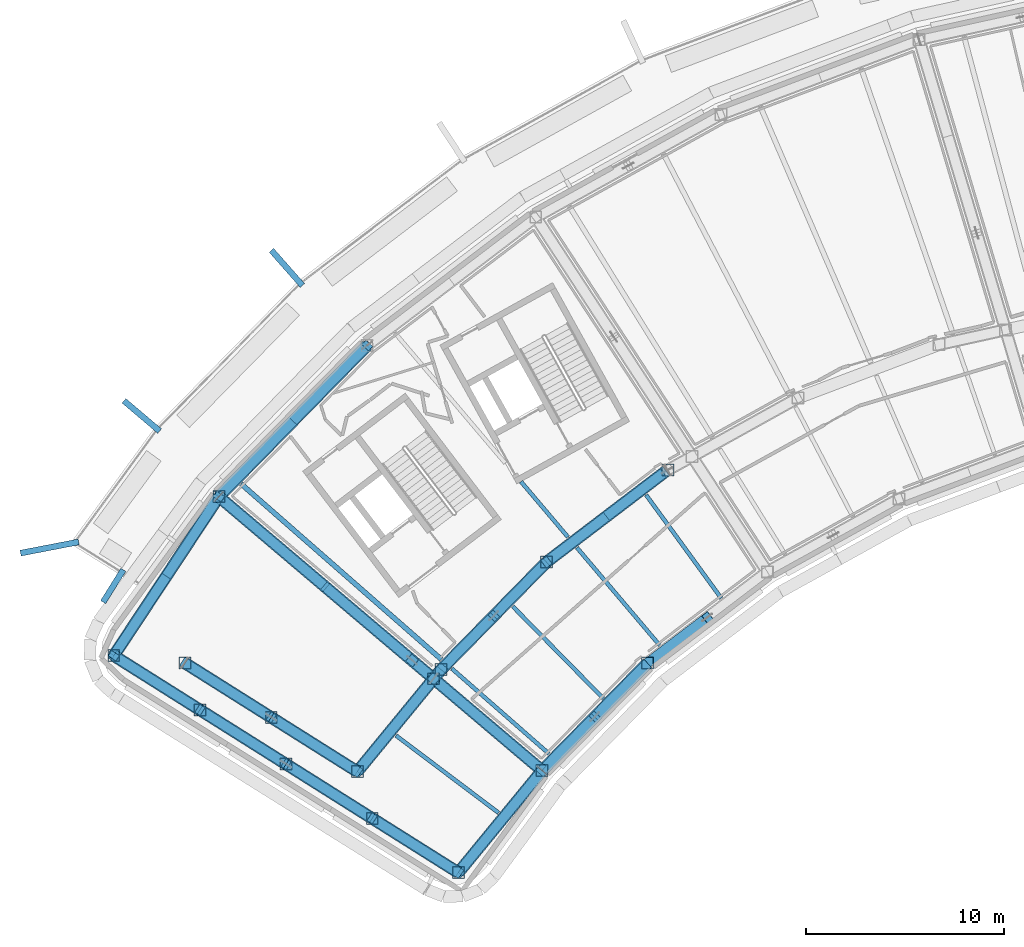
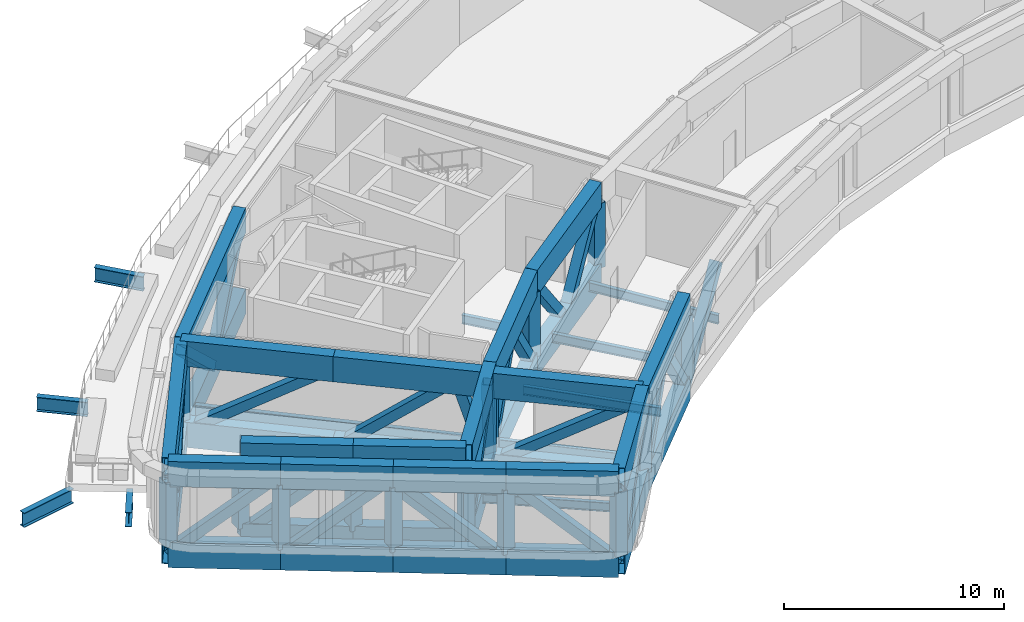
# One storey, part 1 of 24: 43 beams, 39 members.
"""IFC4 building model written with IfcOpenShell, lengths in metres."""

from ifc_helpers import new_model, si_unit, direction, frame, origin, origin_2d, place, context, subcontext, project, spatial, hollow_rectangle, i_section, extrude, material, material_profile, profile_set, type_object, element, save


model = new_model("IFC4")

# Units and contexts
model_context = context("Model", 3, precision=1e-05, world=origin(), true_north=direction((0.0, 1.0)))
body_context = subcontext(model_context, "Body", "Model", "MODEL_VIEW")
ifc_project = project(units=[si_unit("LENGTHUNIT", "METRE"), si_unit("AREAUNIT", "SQUARE_METRE"), si_unit("VOLUMEUNIT", "CUBIC_METRE"), si_unit("PLANEANGLEUNIT", "RADIAN"), si_unit("MASSUNIT", "GRAM", prefix="KILO")], contexts=[model_context])

# Site, building, storey
site_placement = place(None, origin())
site = spatial("IfcSite", under=ifc_project, at=site_placement, CompositionType="ELEMENT")
building_placement = place(site_placement, origin())
building = spatial("IfcBuilding", under=site, at=building_placement, Name="Tuul Gate Civic Tower", CompositionType="ELEMENT")
storey_placement = place(building_placement, frame((0.0, 0.0, 243.89990234375)))
storey = spatial("IfcBuildingStorey", under=building, at=storey_placement, Name="Plant and refuge floor 6", CompositionType="ELEMENT", Elevation=243.89990234375)

# Beams
ifc_material_1 = material(Name="Steel S355", Category="steel")
ifc_material_profile_1 = material_profile(ifc_material_1, i_section(OverallWidth=0.199951171875, OverallDepth=0.5, WebThickness=0.010009765625, FlangeThickness=0.01611328125, at=origin_2d()), Name="PG500x200x10x16")
ifc_profile_set_1 = profile_set([ifc_material_profile_1], Name="Steel S355")
beam_type_1 = type_object("IfcBeamType", Name="STR-FLOOR BEAM-PG500x200x10x16", PredefinedType="BEAM", material=ifc_profile_set_1)
beam_1_placement = place(storey_placement, frame((-20.018310546875, -17.758544921875, -0.64990234375), z_axis=(-0.588406238237, 0.80856545734, 0.0), x_axis=(-0.80856545734, -0.588406238237, 0.0)))
element("IfcBeam", 1, at=beam_1_placement, inside=storey, type_object=beam_type_1, Name="Floor beam", PredefinedType="BEAM", context=body_context, shape_type="SweptSolid", body=[
    extrude(i_section(OverallWidth=0.199951171875, OverallDepth=0.5, WebThickness=0.010009765625, FlangeThickness=0.01611328125, at=origin_2d()), origin(), (0.0, 0.0, 1.0), 6.436279296875),
])
beam_2_placement = place(storey_placement, frame((-23.126953125, -20.12548828125, -0.64990234375), z_axis=(-0.646590839722, 0.762836998308, 0.0), x_axis=(-0.762836998308, -0.646590839722, 0.0)))
element("IfcBeam", 2, at=beam_2_placement, inside=storey, type_object=beam_type_1, Name="Floor beam", PredefinedType="BEAM", context=body_context, shape_type="SweptSolid", body=[
    extrude(i_section(OverallWidth=0.199951171875, OverallDepth=0.5, WebThickness=0.010009765625, FlangeThickness=0.01611328125, at=origin_2d()), origin(), (0.0, 0.0, 1.0), 6.443359375),
])
beam_3_placement = place(storey_placement, frame((-27.74658203125, -14.67529296875, -0.64990234375), z_axis=(-0.646614419662, 0.762817011009, 0.0), x_axis=(-0.762817011009, -0.646614419662, 0.0)))
element("IfcBeam", 3, at=beam_3_placement, inside=storey, type_object=beam_type_1, Name="Floor beam", PredefinedType="BEAM", context=body_context, shape_type="SweptSolid", body=[
    extrude(i_section(OverallWidth=0.199951171875, OverallDepth=0.5, WebThickness=0.010009765625, FlangeThickness=0.01611328125, at=origin_2d()), origin(), (0.0, 0.0, 1.0), 3.662109375),
])
beam_4_placement = place(storey_placement, frame((-25.96875, -22.806884765625, -0.64990234375), z_axis=(-0.701223642342, 0.712941374462, 0.0), x_axis=(-0.712941374462, -0.701223642342, 0.0)))
element("IfcBeam", 4, at=beam_4_placement, inside=storey, type_object=beam_type_1, Name="Floor beam", PredefinedType="BEAM", context=body_context, shape_type="SweptSolid", body=[
    extrude(i_section(OverallWidth=0.199951171875, OverallDepth=0.5, WebThickness=0.010009765625, FlangeThickness=0.01611328125, at=origin_2d()), origin(), (0.0, 0.0, 1.0), 6.50048828125),
])
beam_5_placement = place(storey_placement, frame((-28.704345703125, -25.597412109375, -0.64990234375), z_axis=(-0.752011852381, 0.659149583841, 0.0), x_axis=(-0.659149583841, -0.752011852381, 0.0)))
element("IfcBeam", 5, at=beam_5_placement, inside=storey, type_object=beam_type_1, Name="Floor beam", PredefinedType="BEAM", context=body_context, shape_type="SweptSolid", body=[
    extrude(i_section(OverallWidth=0.199951171875, OverallDepth=0.5, WebThickness=0.010009765625, FlangeThickness=0.01611328125, at=origin_2d()), origin(), (0.0, 0.0, 1.0), 6.509521484375),
])
beam_6_placement = place(storey_placement, frame((-31.24609375, -28.57421875, -0.64990234375), z_axis=(-0.798707781661, 0.601719103497, 0.0), x_axis=(-0.601719103497, -0.798707781661, 0.0)))
element("IfcBeam", 6, at=beam_6_placement, inside=storey, type_object=beam_type_1, Name="Floor beam", PredefinedType="BEAM", context=body_context, shape_type="SweptSolid", body=[
    extrude(i_section(OverallWidth=0.199951171875, OverallDepth=0.5, WebThickness=0.010009765625, FlangeThickness=0.01611328125, at=origin_2d()), origin(), (0.0, 0.0, 1.0), 6.470703125),
])
ifc_material_2 = material(Name="Steel S355", Category="steel")
ifc_material_profile_2 = material_profile(ifc_material_2, i_section(OverallWidth=0.25, OverallDepth=0.64990234375, WebThickness=0.011962890625, FlangeThickness=0.02001953125, at=origin_2d()), Name="PG650x250x12x20")
ifc_profile_set_2 = profile_set([ifc_material_profile_2], Name="Steel S355")
beam_type_2 = type_object("IfcBeamType", Name="STR-FLOOR BEAM-PG650x250x12x20", PredefinedType="BEAM", material=ifc_profile_set_2)
beam_7_placement = place(storey_placement, frame((-34.126953125, -20.844482421875, -0.724853515625), z_axis=(-0.752029903668, 0.659128988885, 0.0), x_axis=(-0.659128988885, -0.752029903668, 0.0)))
element("IfcBeam", 7, at=beam_7_placement, inside=storey, type_object=beam_type_2, Name="Floor beam", PredefinedType="BEAM", context=body_context, shape_type="SweptSolid", body=[
    extrude(i_section(OverallWidth=0.25, OverallDepth=0.64990234375, WebThickness=0.011962890625, FlangeThickness=0.02001953125, at=origin_2d()), origin(), (0.0, 0.0, 1.0), 13.421142578125),
])
ifc_material_3 = material(Name="Steel S355", Category="steel")
ifc_material_profile_3 = material_profile(ifc_material_3, i_section(OverallWidth=0.300048828125, OverallDepth=0.800048828125, WebThickness=0.013916015625, FlangeThickness=0.02490234375, at=origin_2d()), Name="PG800x300x14x25")
ifc_profile_set_3 = profile_set([ifc_material_profile_3], Name="Steel S355")
beam_type_3 = type_object("IfcBeamType", Name="STR-FLOOR BEAM-PG800x300x14x25", PredefinedType="BEAM", material=ifc_profile_set_3)
beam_8_placement = place(storey_placement, frame((-42.693359375, -0.224853515625, -0.7998046875), z_axis=(0.661768932798, -0.749707862826, 0.0), x_axis=(0.749707862826, 0.661768932798, 0.0)))
element("IfcBeam", 8, at=beam_8_placement, inside=storey, type_object=beam_type_3, Name="Terrace beam", PredefinedType="BEAM", context=body_context, shape_type="SweptSolid", body=[
    extrude(i_section(OverallWidth=0.300048828125, OverallDepth=0.800048828125, WebThickness=0.013916015625, FlangeThickness=0.02490234375, at=origin_2d()), origin(), (0.0, 0.0, 1.0), 2.35693359375),
])
beam_9_placement = place(storey_placement, frame((-50.126953125, -7.80859375, -0.7998046875), z_axis=(0.762725864473, -0.646721930713, 0.0), x_axis=(0.646721930713, 0.762725864473, 0.0)))
element("IfcBeam", 9, at=beam_9_placement, inside=storey, type_object=beam_type_3, Name="Terrace beam", PredefinedType="BEAM", context=body_context, shape_type="SweptSolid", body=[
    extrude(i_section(OverallWidth=0.300048828125, OverallDepth=0.800048828125, WebThickness=0.013916015625, FlangeThickness=0.02490234375, at=origin_2d()), origin(), (0.0, 0.0, 1.0), 2.357177734375),
])
beam_10_placement = place(storey_placement, frame((-55.33837890625, -15.487060546875, -0.7998046875), z_axis=(0.981829085502, 0.189767349303, 0.0), x_axis=(-0.189767349303, 0.981829085502, 0.0)))
element("IfcBeam", 10, at=beam_10_placement, inside=storey, type_object=beam_type_3, Name="Terrace beam", PredefinedType="BEAM", context=body_context, shape_type="SweptSolid", body=[
    extrude(i_section(OverallWidth=0.300048828125, OverallDepth=0.800048828125, WebThickness=0.013916015625, FlangeThickness=0.02490234375, at=origin_2d()), origin(), (0.0, 0.0, 1.0), 2.982177734375),
])
beam_11_placement = place(storey_placement, frame((-51.177001953125, -17.957763671875, -0.7998046875), z_axis=(0.529976097183, 0.84801258034, 0.0), x_axis=(-0.84801258034, 0.529976097183, 0.0)))
element("IfcBeam", 11, at=beam_11_placement, inside=storey, type_object=beam_type_3, Name="Terrace beam", PredefinedType="BEAM", context=body_context, shape_type="SweptSolid", body=[
    extrude(i_section(OverallWidth=0.300048828125, OverallDepth=0.800048828125, WebThickness=0.013916015625, FlangeThickness=0.02490234375, at=origin_2d()), origin(), (0.0, 0.0, 1.0), 1.92138671875),
])
ifc_material_4 = material(Name="Steel S460", Category="steel")
ifc_material_profile_4 = material_profile(ifc_material_4, hollow_rectangle(XDim=0.60009765625, YDim=1.39990234375, WallThickness=0.031982421875, at=origin_2d()), Name="BOX1400x600x32")
ifc_profile_set_4 = profile_set([ifc_material_profile_4], Name="Steel S460")
beam_type_4 = type_object("IfcBeamType", Name="STR-TRANSFER TRUSS CHORD-BOX1400x600x32", PredefinedType="BEAM", material=ifc_profile_set_4)
beam_12_placement = place(storey_placement, frame((-45.341064453125, -12.64208984375, -1.099853515625), z_axis=(0.76286654486, -0.646555979583, 0.0), x_axis=(0.646555979583, 0.76286654486, 0.0)))
element("IfcBeam", 12, at=beam_12_placement, inside=storey, type_object=beam_type_4, Name="Radial truss bottom chord", PredefinedType="BEAM", context=body_context, shape_type="SweptSolid", body=[
    extrude(hollow_rectangle(XDim=0.60009765625, YDim=1.39990234375, WallThickness=0.031982421875, at=origin_2d()), origin(), (0.0, 0.0, 1.0), 7.0947265625),
])
beam_13_placement = place(storey_placement, frame((-39.9287109375, -17.229248046875, -1.099853515625), z_axis=(0.762849040409, -0.646576632385, 0.0), x_axis=(0.646576632385, 0.762849040409, 0.0)))
element("IfcBeam", 13, at=beam_13_placement, inside=storey, type_object=beam_type_4, Name="Radial truss bottom chord", PredefinedType="BEAM", context=body_context, shape_type="SweptSolid", body=[
    extrude(hollow_rectangle(XDim=0.60009765625, YDim=1.39990234375, WallThickness=0.031982421875, at=origin_2d()), origin(), (0.0, 0.0, 1.0), 6.794677734375),
])
beam_14_placement = place(storey_placement, frame((-34.28759765625, -22.010498046875, -1.099853515625), z_axis=(0.762834361318, -0.646593950786, 0.0), x_axis=(0.646593950786, 0.762834361318, 0.0)))
element("IfcBeam", 14, at=beam_14_placement, inside=storey, type_object=beam_type_4, Name="Radial truss bottom chord", PredefinedType="BEAM", context=body_context, shape_type="SweptSolid", body=[
    extrude(hollow_rectangle(XDim=0.60009765625, YDim=1.39990234375, WallThickness=0.031982421875, at=origin_2d()), origin(), (0.0, 0.0, 1.0), 6.865966796875),
])
beam_15_placement = place(storey_placement, frame((-45.341064453125, -12.64208984375, 3.400146484375), z_axis=(0.76286654486, -0.646555979583, 0.0), x_axis=(0.646555979583, 0.76286654486, 0.0)))
element("IfcBeam", 15, at=beam_15_placement, inside=storey, type_object=beam_type_4, Name="Radial truss top chord", PredefinedType="BEAM", context=body_context, shape_type="SweptSolid", body=[
    extrude(hollow_rectangle(XDim=0.60009765625, YDim=1.39990234375, WallThickness=0.031982421875, at=origin_2d()), origin(), (0.0, 0.0, 1.0), 7.0947265625),
])
beam_16_placement = place(storey_placement, frame((-39.9287109375, -17.229248046875, 3.400146484375), z_axis=(0.762849040409, -0.646576632385, 0.0), x_axis=(0.646576632385, 0.762849040409, 0.0)))
element("IfcBeam", 16, at=beam_16_placement, inside=storey, type_object=beam_type_4, Name="Radial truss top chord", PredefinedType="BEAM", context=body_context, shape_type="SweptSolid", body=[
    extrude(hollow_rectangle(XDim=0.60009765625, YDim=1.39990234375, WallThickness=0.031982421875, at=origin_2d()), origin(), (0.0, 0.0, 1.0), 6.794677734375),
])
beam_17_placement = place(storey_placement, frame((-34.28759765625, -22.010498046875, 3.400146484375), z_axis=(0.762834361318, -0.646593950786, 0.0), x_axis=(0.646593950786, 0.762834361318, 0.0)))
element("IfcBeam", 17, at=beam_17_placement, inside=storey, type_object=beam_type_4, Name="Radial truss top chord", PredefinedType="BEAM", context=body_context, shape_type="SweptSolid", body=[
    extrude(hollow_rectangle(XDim=0.60009765625, YDim=1.39990234375, WallThickness=0.031982421875, at=origin_2d()), origin(), (0.0, 0.0, 1.0), 6.865966796875),
])
for number, where, z_axis, x_axis, name in (
    (18, (-37.866943359375, -5.01708984375, -1.099853515625), (-0.700006025331, -0.714136936798, 0.0), (0.714136936798, -0.700006025331, 0.0), "Belt truss bottom chord"),
    (19, (-37.866943359375, -5.01708984375, 3.400146484375), (-0.700006025331, -0.714136936798, 0.0), (0.714136936798, -0.700006025331, 0.0), "Belt truss top chord"),
):
    element("IfcBeam", number, at=place(storey_placement, frame(where, z_axis=z_axis, x_axis=x_axis)), inside=storey, type_object=beam_type_4, Name=name, PredefinedType="BEAM", context=body_context, shape_type="SweptSolid", body=[
        extrude(hollow_rectangle(XDim=0.60009765625, YDim=1.39990234375, WallThickness=0.031982421875, at=origin_2d()), origin(), (0.0, 0.0, 1.0), 10.67724609375),
    ])
for number, where, z_axis, x_axis, name in (
    (20, (-45.341064453125, -12.64208984375, -1.099853515625), (-0.551634757696, -0.834085783419, 0.0), (0.834085783419, -0.551634757696, 0.0), "Belt truss bottom chord"),
    (21, (-45.341064453125, -12.64208984375, 3.400146484375), (-0.551634757696, -0.834085783419, 0.0), (0.834085783419, -0.551634757696, 0.0), "Belt truss top chord"),
):
    element("IfcBeam", number, at=place(storey_placement, frame(where, z_axis=z_axis, x_axis=x_axis)), inside=storey, type_object=beam_type_4, Name=name, PredefinedType="BEAM", context=body_context, shape_type="SweptSolid", body=[
        extrude(hollow_rectangle(XDim=0.60009765625, YDim=1.39990234375, WallThickness=0.031982421875, at=origin_2d()), origin(), (0.0, 0.0, 1.0), 9.605712890625),
    ])
for number, where, z_axis, x_axis, name in (
    (22, (-28.826904296875, -15.93798828125, -1.099853515625), (0.795614033474, 0.60580385418, 0.0), (-0.60580385418, 0.795614033474, 0.0), "Belt truss bottom chord"),
    (23, (-28.826904296875, -15.93798828125, 3.400146484375), (0.795614033474, 0.60580385418, 0.0), (-0.60580385418, 0.795614033474, 0.0), "Belt truss top chord"),
):
    element("IfcBeam", number, at=place(storey_placement, frame(where, z_axis=z_axis, x_axis=x_axis)), inside=storey, type_object=beam_type_4, Name=name, PredefinedType="BEAM", context=body_context, shape_type="SweptSolid", body=[
        extrude(hollow_rectangle(XDim=0.60009765625, YDim=1.39990234375, WallThickness=0.031982421875, at=origin_2d()), origin(), (0.0, 0.0, 1.0), 7.59130859375),
    ])
for number, where, z_axis, x_axis, name in (
    (24, (-29.050048828125, -26.449951171875, -1.099853515625), (0.700028321622, 0.714115081011, 0.0), (-0.714115081011, 0.700028321622, 0.0), "Belt truss bottom chord"),
    (25, (-29.050048828125, -26.449951171875, 3.400146484375), (0.700028321622, 0.714115081011, 0.0), (-0.714115081011, 0.700028321622, 0.0), "Belt truss top chord"),
):
    element("IfcBeam", number, at=place(storey_placement, frame(where, z_axis=z_axis, x_axis=x_axis)), inside=storey, type_object=beam_type_4, Name=name, PredefinedType="BEAM", context=body_context, shape_type="SweptSolid", body=[
        extrude(hollow_rectangle(XDim=0.60009765625, YDim=1.39990234375, WallThickness=0.031982421875, at=origin_2d()), origin(), (0.0, 0.0, 1.0), 7.591064453125),
    ])
for number, where, z_axis, x_axis, name in (
    (26, (-34.14111328125, -21.35888671875, -1.099853515625), (0.700044722184, 0.7140990036, 0.0), (-0.7140990036, 0.700044722184, 0.0), "Belt truss bottom chord"),
    (27, (-34.14111328125, -21.35888671875, 3.400146484375), (0.700044722184, 0.7140990036, 0.0), (-0.7140990036, 0.700044722184, 0.0), "Belt truss top chord"),
):
    element("IfcBeam", number, at=place(storey_placement, frame(where, z_axis=z_axis, x_axis=x_axis)), inside=storey, type_object=beam_type_4, Name=name, PredefinedType="BEAM", context=body_context, shape_type="SweptSolid", body=[
        extrude(hollow_rectangle(XDim=0.60009765625, YDim=1.39990234375, WallThickness=0.031982421875, at=origin_2d()), origin(), (0.0, 0.0, 1.0), 7.59130859375),
    ])
for number, where, z_axis, x_axis, name in (
    (28, (-33.27001953125, -31.592041015625, -1.099853515625), (0.634390286361, 0.773012913586, 0.0), (-0.773012913586, 0.634390286361, 0.0), "Belt truss bottom chord"),
    (29, (-33.27001953125, -31.592041015625, 3.400146484375), (0.634390286361, 0.773012913586, 0.0), (-0.773012913586, 0.634390286361, 0.0), "Belt truss top chord"),
    (30, (-38.361083984375, -26.5009765625, -1.099853515625), (0.634390286361, 0.773012913586, 0.0), (-0.773012913586, 0.634390286361, 0.0), "Belt truss bottom chord"),
    (31, (-38.361083984375, -26.5009765625, 3.400146484375), (0.634390286361, 0.773012913586, 0.0), (-0.773012913586, 0.634390286361, 0.0), "Belt truss top chord"),
):
    element("IfcBeam", number, at=place(storey_placement, frame(where, z_axis=z_axis, x_axis=x_axis)), inside=storey, type_object=beam_type_4, Name=name, PredefinedType="BEAM", context=body_context, shape_type="SweptSolid", body=[
        extrude(hollow_rectangle(XDim=0.60009765625, YDim=1.39990234375, WallThickness=0.031982421875, at=origin_2d()), origin(), (0.0, 0.0, 1.0), 6.652099609375),
    ])
for number, where, z_axis, x_axis, name in (
    (32, (-46.298095703125, -23.388916015625, -1.099853515625), (0.846264615796, -0.53276279905, 0.0), (0.53276279905, 0.846264615796, 0.0), "Belt truss bottom chord"),
    (33, (-46.298095703125, -23.388916015625, 3.400146484375), (0.846264615796, -0.53276279905, 0.0), (0.53276279905, 0.846264615796, 0.0), "Belt truss top chord"),
):
    element("IfcBeam", number, at=place(storey_placement, frame(where, z_axis=z_axis, x_axis=x_axis)), inside=storey, type_object=beam_type_4, Name=name, PredefinedType="BEAM", context=body_context, shape_type="SweptSolid", body=[
        extrude(hollow_rectangle(XDim=0.60009765625, YDim=1.39990234375, WallThickness=0.031982421875, at=origin_2d()), origin(), (0.0, 0.0, 1.0), 5.132080078125),
    ])
for number, where, z_axis, x_axis, name in (
    (34, (-42.7041015625, -23.76708984375, -1.099853515625), (0.846286064045, -0.532728728156, 0.0), (0.532728728156, 0.846286064045, 0.0), "Belt truss bottom chord"),
    (35, (-42.7041015625, -23.76708984375, 3.400146484375), (0.846286064045, -0.532728728156, 0.0), (0.532728728156, 0.846286064045, 0.0), "Belt truss top chord"),
):
    element("IfcBeam", number, at=place(storey_placement, frame(where, z_axis=z_axis, x_axis=x_axis)), inside=storey, type_object=beam_type_4, Name=name, PredefinedType="BEAM", context=body_context, shape_type="SweptSolid", body=[
        extrude(hollow_rectangle(XDim=0.60009765625, YDim=1.39990234375, WallThickness=0.031982421875, at=origin_2d()), origin(), (0.0, 0.0, 1.0), 5.1318359375),
    ])
for number, where, z_axis, x_axis, name in (
    (36, (-37.613037109375, -28.85791015625, -1.099853515625), (0.846264615796, -0.53276279905, 0.0), (0.53276279905, 0.846264615796, 0.0), "Belt truss bottom chord"),
    (37, (-37.613037109375, -28.85791015625, 3.400146484375), (0.846264615796, -0.53276279905, 0.0), (0.53276279905, 0.846264615796, 0.0), "Belt truss top chord"),
):
    element("IfcBeam", number, at=place(storey_placement, frame(where, z_axis=z_axis, x_axis=x_axis)), inside=storey, type_object=beam_type_4, Name=name, PredefinedType="BEAM", context=body_context, shape_type="SweptSolid", body=[
        extrude(hollow_rectangle(XDim=0.60009765625, YDim=1.39990234375, WallThickness=0.031982421875, at=origin_2d()), origin(), (0.0, 0.0, 1.0), 5.132080078125),
    ])
for number, where, z_axis, x_axis, name in (
    (38, (-50.639892578125, -20.654052734375, -1.099853515625), (0.8461327144, -0.532972259712, 0.0), (0.532972259712, 0.8461327144, 0.0), "Belt truss bottom chord"),
    (39, (-50.639892578125, -20.654052734375, 3.400146484375), (0.8461327144, -0.532972259712, 0.0), (0.532972259712, 0.8461327144, 0.0), "Belt truss top chord"),
):
    element("IfcBeam", number, at=place(storey_placement, frame(where, z_axis=z_axis, x_axis=x_axis)), inside=storey, type_object=beam_type_4, Name=name, PredefinedType="BEAM", context=body_context, shape_type="SweptSolid", body=[
        extrude(hollow_rectangle(XDim=0.60009765625, YDim=1.39990234375, WallThickness=0.031982421875, at=origin_2d()), origin(), (0.0, 0.0, 1.0), 5.13134765625),
    ])
for number, where, z_axis, x_axis, name in (
    (40, (-41.955078125, -26.123046875, -1.099853515625), (0.846146228652, -0.532950804237, 0.0), (0.532950804237, 0.846146228652, 0.0), "Belt truss bottom chord"),
    (41, (-41.955078125, -26.123046875, 3.400146484375), (0.846146228652, -0.532950804237, 0.0), (0.532950804237, 0.846146228652, 0.0), "Belt truss top chord"),
    (42, (-47.0458984375, -21.031982421875, -1.099853515625), (0.846111258092, -0.53300632166, 0.0), (0.53300632166, 0.846111258092, 0.0), "Belt truss bottom chord"),
    (43, (-47.0458984375, -21.031982421875, 3.400146484375), (0.846111258092, -0.53300632166, 0.0), (0.53300632166, 0.846111258092, 0.0), "Belt truss top chord"),
):
    element("IfcBeam", number, at=place(storey_placement, frame(where, z_axis=z_axis, x_axis=x_axis)), inside=storey, type_object=beam_type_4, Name=name, PredefinedType="BEAM", context=body_context, shape_type="SweptSolid", body=[
        extrude(hollow_rectangle(XDim=0.60009765625, YDim=1.39990234375, WallThickness=0.031982421875, at=origin_2d()), origin(), (0.0, 0.0, 1.0), 5.131591796875),
    ])

# Members
ifc_material_5 = material(Name="Steel S355", Category="steel")
ifc_material_profile_5 = material_profile(ifc_material_5, hollow_rectangle(XDim=0.5, YDim=0.5, WallThickness=0.02001953125, at=origin_2d()), Name="BOX500x500x20")
ifc_profile_set_5 = profile_set([ifc_material_profile_5], Name="Steel S355")
member_type_1 = type_object("IfcMemberType", Name="STR-TRANSFER TRUSS DIAGONAL-BOX500x500x20", PredefinedType="BRACE", material=ifc_profile_set_5)
member_1_placement = place(storey_placement, frame((-45.34423828125, -12.63916015625, -1.1025390625), z_axis=(0.644197311648, -0.546007651576, 0.53561690422), x_axis=(0.646575263532, 0.762850200622, 0.0)))
element("IfcMember", 44, at=member_1_placement, inside=storey, type_object=member_type_1, Name="Radial truss web", PredefinedType="BRACE", context=body_context, shape_type="SweptSolid", body=[
    extrude(hollow_rectangle(XDim=0.5, YDim=0.5, WallThickness=0.02001953125, at=origin_2d()), origin(), (0.0, 0.0, 1.0), 8.41162109375),
])
member_2_placement = place(storey_placement, frame((-34.519775390625, -21.81396484375, -1.1025390625), z_axis=(0.646027882183, -0.547554523865, 0.531819535968), x_axis=(0.646572047856, 0.762852926147, 0.0)))
element("IfcMember", 45, at=member_2_placement, inside=storey, type_object=member_type_1, Name="Radial truss web", PredefinedType="BRACE", context=body_context, shape_type="SweptSolid", body=[
    extrude(hollow_rectangle(XDim=0.5, YDim=0.5, WallThickness=0.02001953125, at=origin_2d()), origin(), (0.0, 0.0, 1.0), 8.4716796875),
])
for number, where, z_axis, x_axis, name in (
    (46, (-41.606689453125, -8.832275390625, -1.10302734375), (0.535228905026, 0.54605289619, 0.644481383585), (-0.714149375302, 0.699993335508, 0.0), "Belt truss web"),
    (47, (-41.601318359375, -8.82666015625, -1.10302734375), (-0.535228905026, -0.54605289619, 0.644481383585), (0.714149375302, -0.699993335508, 0.0), "Belt truss web"),
):
    element("IfcMember", number, at=place(storey_placement, frame(where, z_axis=z_axis, x_axis=x_axis)), inside=storey, type_object=member_type_1, Name=name, PredefinedType="BRACE", context=body_context, shape_type="SweptSolid", body=[
        extrude(hollow_rectangle(XDim=0.5, YDim=0.5, WallThickness=0.02001953125, at=origin_2d()), origin(), (0.0, 0.0, 1.0), 6.9921875),
    ])
member_3_placement = place(storey_placement, frame((-47.992431640625, -16.651123046875, -1.103271484375), z_axis=(0.402560217053, 0.608673714882, 0.68371162083), x_axis=(-0.834082626084, 0.551639531636, 0.0)))
element("IfcMember", 48, at=member_3_placement, inside=storey, type_object=member_type_1, Name="Belt truss web", PredefinedType="BRACE", context=body_context, shape_type="SweptSolid", body=[
    extrude(hollow_rectangle(XDim=0.5, YDim=0.5, WallThickness=0.02001953125, at=origin_2d()), origin(), (0.0, 0.0, 1.0), 6.591796875),
])
member_4_placement = place(storey_placement, frame((-47.988525390625, -16.64501953125, -1.103271484375), z_axis=(-0.402569292294, -0.608650398405, 0.683727034294), x_axis=(0.834067180508, -0.55166288474, 0.0)))
element("IfcMember", 49, at=member_4_placement, inside=storey, type_object=member_type_1, Name="Belt truss web", PredefinedType="BRACE", context=body_context, shape_type="SweptSolid", body=[
    extrude(hollow_rectangle(XDim=0.5, YDim=0.5, WallThickness=0.02001953125, at=origin_2d()), origin(), (0.0, 0.0, 1.0), 6.591552734375),
])
for number, where, z_axis, x_axis, name in (
    (50, (-25.804443359375, -13.636474609375, -1.103759765625), (-0.512989911448, -0.390610912316, 0.764371942141), (0.605809108227, -0.795610032861, 0.0), "Belt truss web"),
    (51, (-25.8095703125, -13.640380859375, -1.103759765625), (0.51299820696, 0.390575827977, 0.764384302728), (-0.605768462047, 0.795640980838, 0.0), "Belt truss web"),
    (52, (-23.738525390625, -21.031005859375, -1.103759765625), (0.512989911448, 0.390610912316, 0.764371942141), (-0.605809108227, 0.795610032861, 0.0), "Belt truss web"),
    (53, (-29.05224609375, -26.452392578125, -1.103759765625), (0.451355012954, 0.460421858288, 0.764388883156), (-0.714103050027, 0.700040594496, 0.0), "Belt truss web"),
    (54, (-23.733642578125, -21.026611328125, -1.103759765625), (-0.451355012954, -0.460421858288, 0.764388883156), (0.714103050027, -0.700040594496, 0.0), "Belt truss web"),
    (55, (-34.143310546875, -21.361328125, -1.103759765625), (0.451355012954, 0.460421858288, 0.764388883156), (-0.714103050027, 0.700040594496, 0.0), "Belt truss web"),
    (56, (-28.82470703125, -15.935791015625, -1.103759765625), (-0.451355012954, -0.460421858288, 0.764388883156), (0.714103050027, -0.700040594496, 0.0), "Belt truss web"),
):
    element("IfcMember", number, at=place(storey_placement, frame(where, z_axis=z_axis, x_axis=x_axis)), inside=storey, type_object=member_type_1, Name=name, PredefinedType="BRACE", context=body_context, shape_type="SweptSolid", body=[
        extrude(hollow_rectangle(XDim=0.5, YDim=0.5, WallThickness=0.02001953125, at=origin_2d()), origin(), (0.0, 0.0, 1.0), 5.89697265625),
    ])
member_5_placement = place(storey_placement, frame((-33.272705078125, -31.59521484375, -1.102783203125), z_axis=(0.525463250337, 0.640259376154, 0.560318038075), x_axis=(-0.773001004128, 0.634404797915, 0.0)))
element("IfcMember", 57, at=member_5_placement, inside=storey, type_object=member_type_1, Name="Belt truss web", PredefinedType="BRACE", context=body_context, shape_type="SweptSolid", body=[
    extrude(hollow_rectangle(XDim=0.5, YDim=0.5, WallThickness=0.02001953125, at=origin_2d()), origin(), (0.0, 0.0, 1.0), 8.041259765625),
])
member_6_placement = place(storey_placement, frame((-38.363525390625, -26.504150390625, -1.102783203125), z_axis=(0.509336460001, 0.620616527524, 0.596163984385), x_axis=(-0.773004566008, 0.634400457858, 0.0)))
element("IfcMember", 58, at=member_6_placement, inside=storey, type_object=member_type_1, Name="Belt truss web", PredefinedType="BRACE", context=body_context, shape_type="SweptSolid", body=[
    extrude(hollow_rectangle(XDim=0.5, YDim=0.5, WallThickness=0.02001953125, at=origin_2d()), origin(), (0.0, 0.0, 1.0), 7.55810546875),
])
member_7_placement = place(storey_placement, frame((-34.140625, -21.3583984375, -1.10498046875), z_axis=(-0.082759803351, -0.100846738325, 0.991453856878), x_axis=(0.773021639748, -0.634379653269, 0.0)))
element("IfcMember", 59, at=member_7_placement, inside=storey, type_object=member_type_1, Name="Belt truss web", PredefinedType="BRACE", context=body_context, shape_type="SweptSolid", body=[
    extrude(hollow_rectangle(XDim=0.5, YDim=0.5, WallThickness=0.02001953125, at=origin_2d()), origin(), (0.0, 0.0, 1.0), 4.548828125),
])
for number, where, z_axis, x_axis, name in (
    (60, (-46.30126953125, -23.386962890625, -1.103271484375), (0.63629661571, -0.400565060072, 0.659298300836), (0.532750272584, 0.846272501657, 0.0), "Belt truss web"),
    (61, (-38.35791015625, -26.5029296875, -1.103271484375), (-0.63629661571, 0.400565060072, 0.659298300836), (-0.532750272584, -0.846272501657, 0.0), "Belt truss web"),
    (62, (-33.266845703125, -31.593994140625, -1.103271484375), (-0.63629661571, 0.400565060072, 0.659298300836), (-0.532750272584, -0.846272501657, 0.0), "Belt truss web"),
):
    element("IfcMember", number, at=place(storey_placement, frame(where, z_axis=z_axis, x_axis=x_axis)), inside=storey, type_object=member_type_1, Name=name, PredefinedType="BRACE", context=body_context, shape_type="SweptSolid", body=[
        extrude(hollow_rectangle(XDim=0.5, YDim=0.5, WallThickness=0.02001953125, at=origin_2d()), origin(), (0.0, 0.0, 1.0), 6.83544921875),
    ])
member_8_placement = place(storey_placement, frame((-50.64306640625, -20.652099609375, -1.103271484375), z_axis=(0.6361538978, -0.400730521023, 0.659335474424), x_axis=(0.532993443067, 0.846119370802, 0.0)))
element("IfcMember", 63, at=member_8_placement, inside=storey, type_object=member_type_1, Name="Belt truss web", PredefinedType="BRACE", context=body_context, shape_type="SweptSolid", body=[
    extrude(hollow_rectangle(XDim=0.5, YDim=0.5, WallThickness=0.02001953125, at=origin_2d()), origin(), (0.0, 0.0, 1.0), 6.8349609375),
])
member_9_placement = place(storey_placement, frame((-37.60986328125, -28.860107421875, -1.103271484375), z_axis=(-0.63617516084, 0.400721415387, 0.659320492614), x_axis=(-0.532972018739, -0.846132866187, 0.0)))
element("IfcMember", 64, at=member_9_placement, inside=storey, type_object=member_type_1, Name="Belt truss web", PredefinedType="BRACE", context=body_context, shape_type="SweptSolid", body=[
    extrude(hollow_rectangle(XDim=0.5, YDim=0.5, WallThickness=0.02001953125, at=origin_2d()), origin(), (0.0, 0.0, 1.0), 6.835205078125),
])
member_10_placement = place(storey_placement, frame((-47.049072265625, -21.030029296875, -1.103271484375), z_axis=(0.6361538978, -0.400730521023, 0.659335474424), x_axis=(0.532993443067, 0.846119370802, 0.0)))
element("IfcMember", 65, at=member_10_placement, inside=storey, type_object=member_type_1, Name="Belt truss web", PredefinedType="BRACE", context=body_context, shape_type="SweptSolid", body=[
    extrude(hollow_rectangle(XDim=0.5, YDim=0.5, WallThickness=0.02001953125, at=origin_2d()), origin(), (0.0, 0.0, 1.0), 6.8349609375),
])
member_11_placement = place(storey_placement, frame((-34.515380859375, -21.817626953125, -1.104736328125), z_axis=(-0.229404689442, 0.194449259608, 0.953710109991), x_axis=(-0.646596214184, -0.762832442809, 0.0)))
element("IfcMember", 66, at=member_11_placement, inside=storey, type_object=member_type_1, Name="Radial truss web", PredefinedType="BRACE", context=body_context, shape_type="SweptSolid", body=[
    extrude(hollow_rectangle(XDim=0.5, YDim=0.5, WallThickness=0.02001953125, at=origin_2d()), origin(), (0.0, 0.0, 1.0), 4.728515625),
])
member_12_placement = place(storey_placement, frame((-39.931884765625, -17.226806640625, -1.10302734375), z_axis=(0.597780568279, -0.506632495143, 0.621274421695), x_axis=(0.646550508398, 0.762871181846, 0.0)))
element("IfcMember", 67, at=member_12_placement, inside=storey, type_object=member_type_1, Name="Radial truss web", PredefinedType="BRACE", context=body_context, shape_type="SweptSolid", body=[
    extrude(hollow_rectangle(XDim=0.5, YDim=0.5, WallThickness=0.02001953125, at=origin_2d()), origin(), (0.0, 0.0, 1.0), 7.25341796875),
])
ifc_material_6 = material(Name="Steel S355", Category="steel")
ifc_material_profile_6 = material_profile(ifc_material_6, hollow_rectangle(XDim=0.60009765625, YDim=0.60009765625, WallThickness=0.028076171875, at=origin_2d()), Name="BOX600x600x28")
ifc_profile_set_6 = profile_set([ifc_material_profile_6], Name="Steel S355")
member_type_2 = type_object("IfcMemberType", Name="STR-TRUSS POST-BOX600x600x28", PredefinedType="POST", material=ifc_profile_set_6)
for number, where, z_axis, x_axis, name in (
    (68, (-45.341064453125, -12.64208984375, -0.64501953125), (0.0, 0.0, 1.0), (1.0, 0.0, 0.0), "Radial truss post"),
    (69, (-34.5166015625, -21.816650390625, -0.64501953125), (0.0, 0.0, 1.0), (1.0, 0.0, 0.0), "Radial truss post"),
    (70, (-29.050048828125, -26.449951171875, -0.64501953125), (0.0, 0.0, 1.0), (1.0, 0.0, 0.0), "Radial truss post"),
    (71, (-50.639892578125, -20.654052734375, -0.64501953125), (0.0, 0.0, 1.0), (1.0, 0.0, 0.0), "Belt truss post"),
    (72, (-22.70458984375, -11.29345703125, -0.64501953125), (0.0, 0.0, 1.0), (1.0, 0.0, 0.0), "Belt truss post"),
    (73, (-28.826904296875, -15.93798828125, -0.64501953125), (0.0, 0.0, 1.0), (1.0, 0.0, 0.0), "Belt truss post"),
    (74, (-23.736083984375, -21.029052734375, -0.64501953125), (0.0, 0.0, 1.0), (1.0, 0.0, 0.0), "Belt truss post"),
    (75, (-34.14111328125, -21.35888671875, -0.64501953125), (0.0, 0.0, 1.0), (1.0, 0.0, 0.0), "Belt truss post"),
    (76, (-33.27001953125, -31.592041015625, -0.64501953125), (0.0, 0.0, 1.0), (1.0, 0.0, 0.0), "Belt truss post"),
    (77, (-38.361083984375, -26.5009765625, -0.64501953125), (0.0, 0.0, 1.0), (1.0, 0.0, 0.0), "Belt truss post"),
    (78, (-46.298095703125, -23.388916015625, -0.64501953125), (0.0, 0.0, 1.0), (1.0, 0.0, 0.0), "Belt truss post"),
    (79, (-41.955078125, -26.123046875, -0.64501953125), (0.0, 0.0, 1.0), (1.0, 0.0, 0.0), "Belt truss post"),
    (80, (-42.7041015625, -23.76708984375, -0.64501953125), (0.0, 0.0, 1.0), (1.0, 0.0, 0.0), "Belt truss post"),
    (81, (-37.613037109375, -28.85791015625, -0.64501953125), (0.0, 0.0, 1.0), (1.0, 0.0, 0.0), "Belt truss post"),
    (82, (-47.0458984375, -21.031982421875, -0.64501953125), (0.0, 0.0, 1.0), (1.0, 0.0, 0.0), "Belt truss post"),
):
    element("IfcMember", number, at=place(storey_placement, frame(where, z_axis=z_axis, x_axis=x_axis)), inside=storey, type_object=member_type_2, Name=name, PredefinedType="POST", context=body_context, shape_type="SweptSolid", body=[
        extrude(hollow_rectangle(XDim=0.60009765625, YDim=0.60009765625, WallThickness=0.028076171875, at=origin_2d()), origin(), (0.0, 0.0, 1.0), 3.590087890625),
    ])

save(model, "model.ifc")
